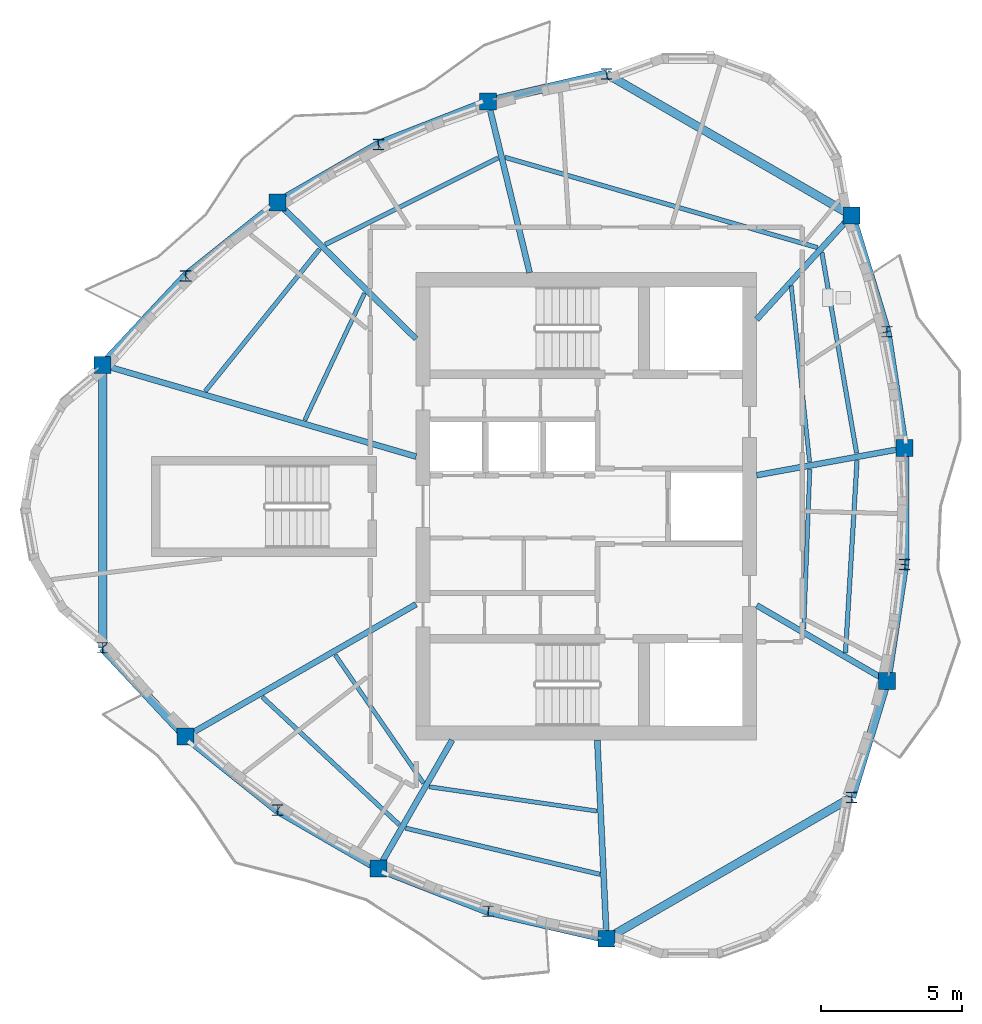
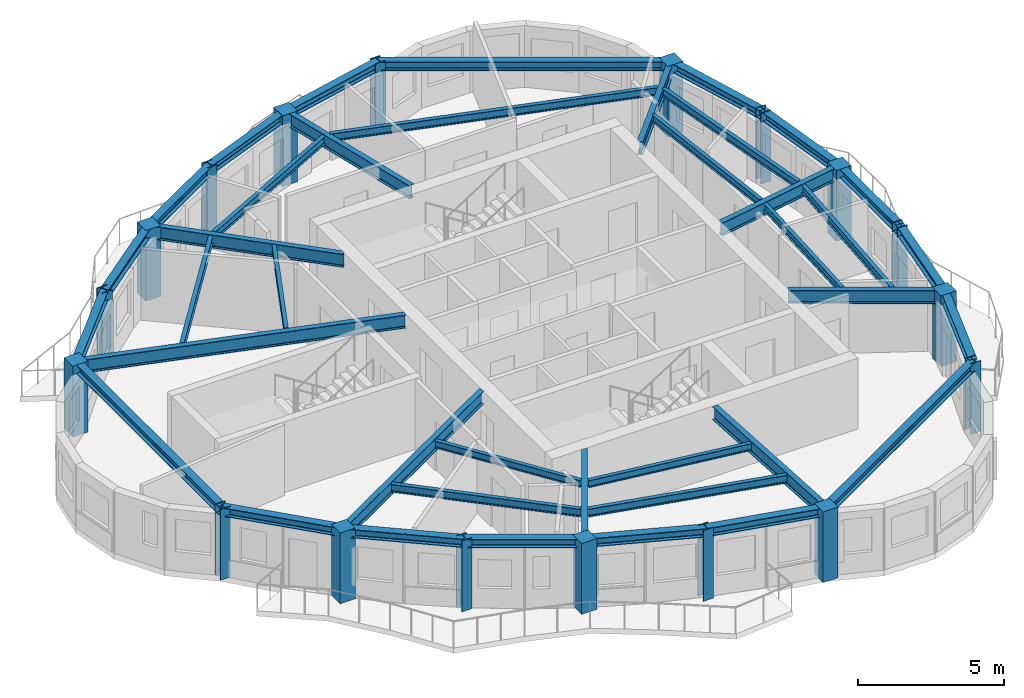
# One storey, part 1 of 11: 39 beams, 18 columns.
"""IFC4 building model written with IfcOpenShell, lengths in metres."""

import ifcopenshell
import ifcopenshell.guid

model = None  # the IFC model being written
_history = None  # IfcOwnerHistory: only IFC2X3 demands one
_inside = {}  # id of a spatial element -> (the spatial element, [elements in it])
_under = {}  # id of a project, library or spatial element -> (it, [spatial elements below it])
_declared = {}  # id of a project -> (the project, [libraries it declares])
_typed = {}  # id of a type object -> (the type object, [elements of that type])
_made_of = {}  # id of a material, layer set ... -> (it, [elements and type objects made of it])


def new_model(schema):
    """Start an empty IFC model of exactly this schema.

    Asked for "IFC4X3", IfcOpenShell would pick the latest addendum, in which some entities
    have other attributes; the version numbers below select the first issue.
    IFC2X3 requires an IfcOwnerHistory on every rooted entity: one is made here for all.
    """
    global model, _history
    if schema == "IFC4X3":
        model = ifcopenshell.file(schema_version=(4, 3, 0, 0))
    else:
        model = ifcopenshell.file(schema=schema)
    _inside.clear()
    _under.clear()
    _declared.clear()
    _typed.clear()
    _made_of.clear()
    _history = None
    if model.schema == "IFC2X3":
        org = make("IfcOrganization", Name="unknown")
        user = make(
            "IfcPersonAndOrganization",
            ThePerson=make("IfcPerson", FamilyName="unknown"),
            TheOrganization=org,
        )
        app = make(
            "IfcApplication",
            ApplicationDeveloper=org,
            Version="unknown",
            ApplicationFullName="unknown",
            ApplicationIdentifier="unknown",
        )
        _history = make(
            "IfcOwnerHistory",
            OwningUser=user,
            OwningApplication=app,
            ChangeAction="ADDED",
            CreationDate=0,
        )
    return model


def make(cls, **values):
    """One entity of the class cls with the attributes given. An attribute that is None is left unset."""
    return model.create_entity(
        cls, **{name: value for name, value in values.items() if value is not None}
    )


def rooted(cls, **values):
    """An entity with a GlobalId (a new one), such as an element, a storey or a relation."""
    return make(cls, GlobalId=ifcopenshell.guid.new(), OwnerHistory=_history, **values)


def si_unit(unit_type, name, prefix=None):
    """IfcSIUnit, for example si_unit("LENGTHUNIT", "METRE", prefix="MILLI")."""
    return make("IfcSIUnit", UnitType=unit_type, Prefix=prefix, Name=name)


def assignment(units):
    """IfcUnitAssignment: the units of a project."""
    return None if units is None else make("IfcUnitAssignment", Units=units)


def point(xyz):
    """IfcCartesianPoint."""
    return None if xyz is None else make("IfcCartesianPoint", Coordinates=xyz)


def direction(xyz):
    """IfcDirection."""
    return None if xyz is None else make("IfcDirection", DirectionRatios=xyz)


def frame(location, z_axis=None, x_axis=None):
    """IfcAxis2Placement3D, a coordinate frame: its origin and axes. An axis left out is left unset."""
    return make(
        "IfcAxis2Placement3D",
        Location=point(location),
        Axis=direction(z_axis),
        RefDirection=direction(x_axis),
    )


def frame_2d(location, x_axis=None):
    """IfcAxis2Placement2D, a coordinate frame in the plane: its origin and x axis."""
    return make(
        "IfcAxis2Placement2D", Location=point(location), RefDirection=direction(x_axis)
    )


def origin():
    """The frame at (0, 0, 0) with its axes left unset."""
    return frame((0.0, 0.0, 0.0))


def origin_2d():
    """The frame at (0, 0) in the plane with its x axis left unset."""
    return frame_2d((0.0, 0.0))


def place(relative_to, where):
    """IfcLocalPlacement: puts the frame where relative to a parent placement (None: the world)."""
    return make(
        "IfcLocalPlacement", PlacementRelTo=relative_to, RelativePlacement=where
    )


def context(
    kind, dimensions, precision=None, world=None, true_north=None, identifier=None
):
    """IfcGeometricRepresentationContext, for example the 3D "Model" context."""
    return make(
        "IfcGeometricRepresentationContext",
        ContextIdentifier=identifier,
        ContextType=kind,
        CoordinateSpaceDimension=dimensions,
        Precision=precision,
        WorldCoordinateSystem=world,
        TrueNorth=true_north,
    )


def subcontext(parent, identifier, kind, view, scale=None):
    """IfcGeometricRepresentationSubContext, for example "Body" below "Model"."""
    return make(
        "IfcGeometricRepresentationSubContext",
        ContextIdentifier=identifier,
        ContextType=kind,
        ParentContext=parent,
        TargetScale=scale,
        TargetView=view,
    )


def project(units=None, contexts=None):
    """IfcProject with its units and contexts."""
    return rooted(
        "IfcProject",
        Name="project",
        RepresentationContexts=contexts,
        UnitsInContext=assignment(units),
    )


def spatial(cls, under=None, at=None, **own):
    """A site, building, storey or space (cls), placed at a placement, below another one or the project."""
    s = rooted(cls, ObjectPlacement=at, **own)
    if under is not None:
        _under.setdefault(under.id(), (under, []))[1].append(s)
    return s


def profile(cls, at=None, kind="AREA", **sizes):
    """A parametric profile (cls). Its sizes go by their IFC names, for example OverallWidth=200.0."""
    return make(cls, ProfileType=kind, Position=at, **sizes)


def rectangle(**sizes):
    """IfcRectangleProfileDef."""
    return profile("IfcRectangleProfileDef", **sizes)


def i_section(**sizes):
    """IfcIShapeProfileDef."""
    return profile("IfcIShapeProfileDef", **sizes)


def extrude(swept, where, along, depth):
    """IfcExtrudedAreaSolid: the profile swept, set in the frame where, extruded along a direction by depth."""
    return make(
        "IfcExtrudedAreaSolid",
        SweptArea=swept,
        Position=where,
        ExtrudedDirection=direction(along),
        Depth=depth,
    )


def shape(context_of_items, identifier, shape_type, items):
    """IfcShapeRepresentation: the items that make up one representation, for example the "Body"."""
    return make(
        "IfcShapeRepresentation",
        ContextOfItems=context_of_items,
        RepresentationIdentifier=identifier,
        RepresentationType=shape_type,
        Items=items,
    )


def source(mapping_origin, context_of_items, identifier, shape_type, items):
    """IfcRepresentationMap: a shape defined once, which mapped items show again and again."""
    return make(
        "IfcRepresentationMap",
        MappingOrigin=mapping_origin,
        MappedRepresentation=shape(context_of_items, identifier, shape_type, items),
    )


def transform(
    local_origin,
    x_axis=None,
    y_axis=None,
    z_axis=None,
    scale=None,
    scale2=None,
    scale3=None,
    uniform=True,
):
    """IfcCartesianTransformationOperator3D, or its non-uniform kind. x_axis, y_axis, z_axis: its Axis1, 2, 3."""
    if uniform:
        return make(
            "IfcCartesianTransformationOperator3D",
            Axis1=direction(x_axis),
            Axis2=direction(y_axis),
            LocalOrigin=point(local_origin),
            Scale=scale,
            Axis3=direction(z_axis),
        )
    return make(
        "IfcCartesianTransformationOperator3DnonUniform",
        Axis1=direction(x_axis),
        Axis2=direction(y_axis),
        LocalOrigin=point(local_origin),
        Scale=scale,
        Axis3=direction(z_axis),
        Scale2=scale2,
        Scale3=scale3,
    )


def mapped(mapping_source, mapping_target):
    """IfcMappedItem: shows the shape of a source again, moved by a transform."""
    return make(
        "IfcMappedItem", MappingSource=mapping_source, MappingTarget=mapping_target
    )


def material(Name=None, Category=None):
    """IfcMaterial."""
    return make("IfcMaterial", Name=Name, Category=Category)


def material_profile(
    of_material, cross_section, Name=None, Category=None, Priority=None
):
    """IfcMaterialProfile: a cross section and its material."""
    return make(
        "IfcMaterialProfile",
        Name=Name,
        Material=of_material,
        Profile=cross_section,
        Priority=Priority,
        Category=Category,
    )


def profile_set(profiles, Name=None, composite=None):
    """IfcMaterialProfileSet."""
    return make(
        "IfcMaterialProfileSet",
        Name=Name,
        MaterialProfiles=profiles,
        CompositeProfile=composite,
    )


def made_of(thing, what):
    """Note that an element or type object is made of a material, layer set ...; save() writes the relation."""
    if what is not None:
        _made_of.setdefault(what.id(), (what, []))[1].append(thing)
    return thing


def type_object(cls, material=None, **own):
    """A type object (cls), such as IfcWallType, which elements share."""
    return made_of(rooted(cls, **own), material)


def element(
    cls,
    number,
    at=None,
    inside=None,
    cuts=None,
    type_object=None,
    material=None,
    context=None,
    identifier="Body",
    shape_type=None,
    held_by="IfcProductDefinitionShape",
    body=None,
    shapes=None,
    **own,
):
    """One element of the class cls, such as IfcWall. Its Tag is "e" and its number.

    at: its placement. inside: the storey or other place that contains it. cuts: it is an
    opening in that element (IfcRelVoidsElement). A single representation is given by context,
    identifier, shape_type and body (its items); several are given by shapes. held_by: the class
    of the entity that holds the representations. save() writes the other relations.
    """
    e = rooted(cls, Tag="e%d" % number, ObjectPlacement=at, **own)
    if body is not None:
        shapes = [shape(context, identifier, shape_type, body)]
    if shapes is not None:
        e.Representation = make(held_by, Representations=shapes)
    if inside is not None:
        _inside.setdefault(inside.id(), (inside, []))[1].append(e)
    if cuts is not None:
        rooted(
            "IfcRelVoidsElement", RelatingBuildingElement=cuts, RelatedOpeningElement=e
        )
    if type_object is not None:
        _typed.setdefault(type_object.id(), (type_object, []))[1].append(e)
    return made_of(e, material)


def aggregate(whole, parts):
    """IfcRelAggregates: a whole, such as a stair, and the parts it consists of."""
    return rooted("IfcRelAggregates", RelatingObject=whole, RelatedObjects=parts)


def save(model, path):
    """Write the relations noted so far, then the file.

    IfcRelAggregates (storeys below a building ...), IfcRelContainedInSpatialStructure (elements
    in a storey), IfcRelDefinesByType, IfcRelAssociatesMaterial and IfcRelDeclares: one each for
    every whole, place, type object, material and project.
    """
    for whole, parts in _under.values():
        aggregate(whole, parts)
    for where, things in _inside.values():
        rooted(
            "IfcRelContainedInSpatialStructure",
            RelatedElements=things,
            RelatingStructure=where,
        )
    for kind, things in _typed.values():
        rooted("IfcRelDefinesByType", RelatedObjects=things, RelatingType=kind)
    for what, things in _made_of.values():
        rooted("IfcRelAssociatesMaterial", RelatedObjects=things, RelatingMaterial=what)
    for by, libraries in _declared.values():
        rooted("IfcRelDeclares", RelatingContext=by, RelatedDefinitions=libraries)
    model.write(path)


model = new_model("IFC4")

# Units and contexts
model_context = context("Model", 3, precision=1e-05, world=origin(), true_north=direction((0.0, 1.0)))
body_context = subcontext(model_context, "Body", "Model", "MODEL_VIEW")
ifc_project = project(units=[si_unit("LENGTHUNIT", "METRE"), si_unit("AREAUNIT", "SQUARE_METRE"), si_unit("VOLUMEUNIT", "CUBIC_METRE"), si_unit("PLANEANGLEUNIT", "RADIAN"), si_unit("MASSUNIT", "GRAM", prefix="KILO")], contexts=[model_context])

# Site, building, storey
site_placement = place(None, origin())
site = spatial("IfcSite", under=ifc_project, at=site_placement, CompositionType="ELEMENT")
building_placement = place(site_placement, origin())
building = spatial("IfcBuilding", under=site, at=building_placement, Name="Qafzar Sky-Pleat Residences", CompositionType="ELEMENT")
storey_placement = place(building_placement, frame((0.0, 0.0, 246.800048828125)))
storey = spatial("IfcBuildingStorey", under=building, at=storey_placement, Name="L74", CompositionType="ELEMENT", Elevation=246.800048828125)

# Columns
ifc_material_1 = material(Name="Concrete C50/60", Category="concrete")
ifc_material_profile_1 = material_profile(ifc_material_1, rectangle(XDim=0.60009765625, YDim=0.60009765625, at=origin_2d()), Name="RC 600x600")
ifc_profile_set_1 = profile_set([ifc_material_profile_1], Name="Concrete C50/60")
column_type_1 = type_object("IfcColumnType", Name="COL-RC-600", PredefinedType="COLUMN", material=ifc_profile_set_1)
shared_shape_1 = source(origin(), body_context, "Body", "SweptSolid", [
    extrude(rectangle(XDim=0.60009765625, YDim=0.60009765625, at=origin_2d()), origin(), (0.0, 0.0, 1.0), 2.9599609375),
])
for number, where, z_axis, x_axis, name in (
    (1, (13.1650390625, 31.02294921875, 0.0), (0.0, 0.0, 1.0), (1.0, 0.0, 0.0), "L74 Perimeter Mega Column 1"),
    (2, (16.1171875, 17.8212890625, 0.0), (0.0, 0.0, 1.0), (1.0, 0.0, 0.0), "L74 Perimeter Mega Column 3"),
    (3, (22.9638671875, 13.142578125, 0.0), (0.0, 0.0, 1.0), (1.0, 0.0, 0.0), "L74 Perimeter Mega Column 5"),
    (4, (31.0673828125, 10.64111328125, 0.0), (0.0, 0.0, 1.0), (1.0, 0.0, 0.0), "L74 Perimeter Mega Column 7"),
    (5, (41.0244140625, 19.79833984375, 0.0), (0.0, 0.0, 1.0), (1.0, 0.0, 0.0), "L74 Perimeter Mega Column 9"),
    (6, (41.65283203125, 28.067138671875, 0.0), (0.0, 0.0, 1.0), (1.0, 0.0, 0.0), "L74 Perimeter Mega Column 11"),
    (7, (39.767578125, 36.3359375, 0.0), (0.0, 0.0, 1.0), (1.0, 0.0, 0.0), "L74 Perimeter Mega Column 13"),
    (8, (26.858642578125, 40.380126953125, 0.0), (0.0, 0.0, 1.0), (1.0, 0.0, 0.0), "L74 Perimeter Mega Column 15"),
    (9, (19.38330078125, 36.7900390625, 0.0), (0.0, 0.0, 1.0), (1.0, 0.0, 0.0), "L74 Perimeter Mega Column 17"),
):
    element("IfcColumn", number, at=place(storey_placement, frame(where, z_axis=z_axis, x_axis=x_axis)), inside=storey, type_object=column_type_1, Name=name, PredefinedType="COLUMN", context=body_context, shape_type="MappedRepresentation", body=[
        mapped(shared_shape_1, transform((0.0, 0.0, 0.0), x_axis=(1.0, 0.0, 0.0), y_axis=(0.0, 1.0, 0.0), z_axis=(0.0, 0.0, 1.0), scale=1.0)),
    ])
ifc_material_2 = material(Name="Steel S355", Category="steel")
ifc_material_profile_2 = material_profile(ifc_material_2, i_section(OverallWidth=0.39794921875, OverallDepth=0.386962890625, WebThickness=0.01904296875, FlangeThickness=0.030029296875, FilletRadius=0.014892578125, at=origin_2d()), Name="HD 400x262")
ifc_profile_set_2 = profile_set([ifc_material_profile_2], Name="Steel S355")
column_type_2 = type_object("IfcColumnType", Name="COL-STL-HD262", PredefinedType="PILASTER", material=ifc_profile_set_2)
shared_shape_2 = source(origin(), body_context, "Body", "SweptSolid", [
    extrude(i_section(OverallWidth=0.39794921875, OverallDepth=0.386962890625, WebThickness=0.01904296875, FlangeThickness=0.030029296875, FilletRadius=0.014892578125, at=origin_2d()), origin(), (0.0, 0.0, 1.0), 2.9599609375),
])
for number, where, z_axis, x_axis, name in (
    (10, (13.1650390625, 20.97705078125, 0.0), (0.0, 0.0, 1.0), (1.0, 0.0, 0.0), "L74 Perimeter Mega Column 2"),
    (11, (19.38330078125, 15.2099609375, 0.0), (0.0, 0.0, 1.0), (1.0, 0.0, 0.0), "L74 Perimeter Mega Column 4"),
    (12, (26.858642578125, 11.619873046875, 0.0), (0.0, 0.0, 1.0), (1.0, 0.0, 0.0), "L74 Perimeter Mega Column 6"),
    (13, (39.767578125, 15.6640625, 0.0), (0.0, 0.0, 1.0), (1.0, 0.0, 0.0), "L74 Perimeter Mega Column 8"),
    (14, (41.65283203125, 23.932861328125, 0.0), (0.0, 0.0, 1.0), (1.0, 0.0, 0.0), "L74 Perimeter Mega Column 10"),
    (15, (41.0244140625, 32.20166015625, 0.0), (0.0, 0.0, 1.0), (1.0, 0.0, 0.0), "L74 Perimeter Mega Column 12"),
    (16, (31.0673828125, 41.35888671875, 0.0), (0.0, 0.0, 1.0), (1.0, 0.0, 0.0), "L74 Perimeter Mega Column 14"),
    (17, (22.9638671875, 38.857421875, 0.0), (0.0, 0.0, 1.0), (1.0, 0.0, 0.0), "L74 Perimeter Mega Column 16"),
    (18, (16.1171875, 34.1787109375, 0.0), (0.0, 0.0, 1.0), (1.0, 0.0, 0.0), "L74 Perimeter Mega Column 18"),
):
    element("IfcColumn", number, at=place(storey_placement, frame(where, z_axis=z_axis, x_axis=x_axis)), inside=storey, type_object=column_type_2, Name=name, PredefinedType="PILASTER", context=body_context, shape_type="MappedRepresentation", body=[
        mapped(shared_shape_2, transform((0.0, 0.0, 0.0), x_axis=(1.0, 0.0, 0.0), y_axis=(0.0, 1.0, 0.0), z_axis=(0.0, 0.0, 1.0), scale=1.0)),
    ])

# Beams
ifc_material_profile_3 = material_profile(ifc_material_2, i_section(OverallWidth=0.300048828125, OverallDepth=0.360107421875, WebThickness=0.012451171875, FlangeThickness=0.0224609375, FilletRadius=0.027099609375, at=origin_2d()), Name="HEB 360")
ifc_profile_set_3 = profile_set([ifc_material_profile_3], Name="Steel S355")
beam_type_1 = type_object("IfcBeamType", Name="BM-SPAN-HEB360", PredefinedType="SPANDREL", material=ifc_profile_set_3)
shared_shape_3 = source(origin(), body_context, "Body", "SweptSolid", [
    extrude(i_section(OverallWidth=0.300048828125, OverallDepth=0.360107421875, WebThickness=0.012451171875, FlangeThickness=0.0224609375, FilletRadius=0.027099609375, at=origin_2d()), origin(), (0.0, 0.0, 1.0), 10.0458984375),
])
beam_1_placement = place(storey_placement, frame((13.1650390625, 31.02294921875, 2.77783203125), z_axis=(0.0, -1.0, 0.0), x_axis=(1.0, 0.0, 0.0)))
element("IfcBeam", 19, at=beam_1_placement, inside=storey, type_object=beam_type_1, Name="L74 Perimeter Spandrel Beam 1", PredefinedType="SPANDREL", context=body_context, shape_type="MappedRepresentation", body=[
    mapped(shared_shape_3, transform((0.0, 0.0, 0.0), x_axis=(1.0, 0.0, 0.0), y_axis=(0.0, 1.0, 0.0), z_axis=(0.0, 0.0, 1.0), scale=1.0)),
])
shared_shape_4 = source(origin(), body_context, "Body", "SweptSolid", [
    extrude(i_section(OverallWidth=0.300048828125, OverallDepth=0.360107421875, WebThickness=0.012451171875, FlangeThickness=0.0224609375, FilletRadius=0.027099609375, at=origin_2d()), origin(), (0.0, 0.0, 1.0), 4.3212890625),
])
for number, where, z_axis, x_axis, name in (
    (20, (13.1650390625, 20.97705078125, 2.77783203125), (0.683155184944, -0.730273231937, 0.0), (0.730273231937, 0.683155184944, 0.0), "L74 Perimeter Spandrel Beam 2"),
    (21, (16.1171875, 34.1787109375, 2.77783203125), (-0.683155184944, -0.730273231937, 0.0), (0.730273231937, -0.683155184944, 0.0), "L74 Perimeter Spandrel Beam 18"),
):
    element("IfcBeam", number, at=place(storey_placement, frame(where, z_axis=z_axis, x_axis=x_axis)), inside=storey, type_object=beam_type_1, Name=name, PredefinedType="SPANDREL", context=body_context, shape_type="MappedRepresentation", body=[
        mapped(shared_shape_4, transform((0.0, 0.0, 0.0), x_axis=(1.0, 0.0, 0.0), y_axis=(0.0, 1.0, 0.0), z_axis=(0.0, 0.0, 1.0), scale=1.0)),
    ])
shared_shape_5 = source(origin(), body_context, "Body", "SweptSolid", [
    extrude(i_section(OverallWidth=0.300048828125, OverallDepth=0.360107421875, WebThickness=0.012451171875, FlangeThickness=0.0224609375, FilletRadius=0.027099609375, at=origin_2d()), origin(), (0.0, 0.0, 1.0), 4.181640625),
])
for number, where, z_axis, x_axis, name in (
    (22, (16.1171875, 17.8212890625, 2.77783203125), (0.781051045846, -0.624467183912, 0.0), (0.624467183912, 0.781051045846, 0.0), "L74 Perimeter Spandrel Beam 3"),
    (23, (19.38330078125, 36.7900390625, 2.77783203125), (-0.781051045846, -0.624467183912, 0.0), (0.624467183912, -0.781051045846, 0.0), "L74 Perimeter Spandrel Beam 17"),
):
    element("IfcBeam", number, at=place(storey_placement, frame(where, z_axis=z_axis, x_axis=x_axis)), inside=storey, type_object=beam_type_1, Name=name, PredefinedType="SPANDREL", context=body_context, shape_type="MappedRepresentation", body=[
        mapped(shared_shape_5, transform((0.0, 0.0, 0.0), x_axis=(1.0, 0.0, 0.0), y_axis=(0.0, 1.0, 0.0), z_axis=(0.0, 0.0, 1.0), scale=1.0)),
    ])
shared_shape_6 = source(origin(), body_context, "Body", "SweptSolid", [
    extrude(i_section(OverallWidth=0.300048828125, OverallDepth=0.360107421875, WebThickness=0.012451171875, FlangeThickness=0.0224609375, FilletRadius=0.027099609375, at=origin_2d()), origin(), (0.0, 0.0, 1.0), 4.134521484375),
])
for number, where, z_axis, x_axis, name in (
    (24, (19.38330078125, 15.2099609375, 2.77783203125), (0.866010549094, -0.500025728196, 0.0), (0.500025728196, 0.866010549094, 0.0), "L74 Perimeter Spandrel Beam 4"),
    (25, (22.9638671875, 38.857421875, 2.77783203125), (-0.866010549094, -0.500025728196, 0.0), (0.500025728196, -0.866010549094, 0.0), "L74 Perimeter Spandrel Beam 16"),
):
    element("IfcBeam", number, at=place(storey_placement, frame(where, z_axis=z_axis, x_axis=x_axis)), inside=storey, type_object=beam_type_1, Name=name, PredefinedType="SPANDREL", context=body_context, shape_type="MappedRepresentation", body=[
        mapped(shared_shape_6, transform((0.0, 0.0, 0.0), x_axis=(1.0, 0.0, 0.0), y_axis=(0.0, 1.0, 0.0), z_axis=(0.0, 0.0, 1.0), scale=1.0)),
    ])
shared_shape_7 = source(origin(), body_context, "Body", "SweptSolid", [
    extrude(i_section(OverallWidth=0.300048828125, OverallDepth=0.360107421875, WebThickness=0.012451171875, FlangeThickness=0.0224609375, FilletRadius=0.027099609375, at=origin_2d()), origin(), (0.0, 0.0, 1.0), 4.181884765625),
])
for number, where, z_axis, x_axis, name in (
    (26, (22.9638671875, 13.142578125, 2.77783203125), (0.931351269542, -0.36412197506, 0.0), (0.36412197506, 0.931351269542, 0.0), "L74 Perimeter Spandrel Beam 5"),
    (27, (41.0244140625, 19.79833984375, 2.77783203125), (0.150267100835, 0.988645436143, 0.0), (-0.988645436143, 0.150267100835, 0.0), "L74 Perimeter Spandrel Beam 9"),
    (28, (41.65283203125, 28.067138671875, 2.77783203125), (-0.150267100835, 0.988645436143, 0.0), (-0.988645436143, -0.150267100835, 0.0), "L74 Perimeter Spandrel Beam 11"),
    (29, (26.858642578125, 40.380126953125, 2.77783203125), (-0.931351269542, -0.36412197506, 0.0), (0.36412197506, -0.931351269542, 0.0), "L74 Perimeter Spandrel Beam 15"),
):
    element("IfcBeam", number, at=place(storey_placement, frame(where, z_axis=z_axis, x_axis=x_axis)), inside=storey, type_object=beam_type_1, Name=name, PredefinedType="SPANDREL", context=body_context, shape_type="MappedRepresentation", body=[
        mapped(shared_shape_7, transform((0.0, 0.0, 0.0), x_axis=(1.0, 0.0, 0.0), y_axis=(0.0, 1.0, 0.0), z_axis=(0.0, 0.0, 1.0), scale=1.0)),
    ])
shared_shape_8 = source(origin(), body_context, "Body", "SweptSolid", [
    extrude(i_section(OverallWidth=0.300048828125, OverallDepth=0.360107421875, WebThickness=0.012451171875, FlangeThickness=0.0224609375, FilletRadius=0.027099609375, at=origin_2d()), origin(), (0.0, 0.0, 1.0), 4.321044921875),
])
for number, where, z_axis, x_axis, name in (
    (30, (26.858642578125, 11.619873046875, 2.77783203125), (0.974008896714, -0.226509755028, 0.0), (0.226509755028, 0.974008896714, 0.0), "L74 Perimeter Spandrel Beam 6"),
    (31, (39.767578125, 15.6640625, 2.77783203125), (0.290860334904, 0.956765522779, 0.0), (-0.956765522779, 0.290860334904, 0.0), "L74 Perimeter Spandrel Beam 8"),
    (32, (41.0244140625, 32.20166015625, 2.77783203125), (-0.290860334904, 0.956765522779, 0.0), (-0.956765522779, -0.290860334904, 0.0), "L74 Perimeter Spandrel Beam 12"),
    (33, (31.0673828125, 41.35888671875, 2.77783203125), (-0.974008896714, -0.226509755028, 0.0), (0.226509755028, -0.974008896714, 0.0), "L74 Perimeter Spandrel Beam 14"),
):
    element("IfcBeam", number, at=place(storey_placement, frame(where, z_axis=z_axis, x_axis=x_axis)), inside=storey, type_object=beam_type_1, Name=name, PredefinedType="SPANDREL", context=body_context, shape_type="MappedRepresentation", body=[
        mapped(shared_shape_8, transform((0.0, 0.0, 0.0), x_axis=(1.0, 0.0, 0.0), y_axis=(0.0, 1.0, 0.0), z_axis=(0.0, 0.0, 1.0), scale=1.0)),
    ])
shared_shape_9 = source(origin(), body_context, "Body", "SweptSolid", [
    extrude(i_section(OverallWidth=0.300048828125, OverallDepth=0.360107421875, WebThickness=0.012451171875, FlangeThickness=0.0224609375, FilletRadius=0.027099609375, at=origin_2d()), origin(), (0.0, 0.0, 1.0), 10.046142578125),
])
for number, where, z_axis, x_axis, name in (
    (34, (31.0673828125, 10.64111328125, 2.77783203125), (0.866030183273, 0.499991721592, 0.0), (-0.499991721592, 0.866030183273, 0.0), "L74 Perimeter Spandrel Beam 7"),
    (35, (39.767578125, 36.3359375, 2.77783203125), (-0.866030183273, 0.499991721592, 0.0), (-0.499991721592, -0.866030183273, 0.0), "L74 Perimeter Spandrel Beam 13"),
):
    element("IfcBeam", number, at=place(storey_placement, frame(where, z_axis=z_axis, x_axis=x_axis)), inside=storey, type_object=beam_type_1, Name=name, PredefinedType="SPANDREL", context=body_context, shape_type="MappedRepresentation", body=[
        mapped(shared_shape_9, transform((0.0, 0.0, 0.0), x_axis=(1.0, 0.0, 0.0), y_axis=(0.0, 1.0, 0.0), z_axis=(0.0, 0.0, 1.0), scale=1.0)),
    ])
shared_shape_10 = source(origin(), body_context, "Body", "SweptSolid", [
    extrude(i_section(OverallWidth=0.300048828125, OverallDepth=0.360107421875, WebThickness=0.012451171875, FlangeThickness=0.0224609375, FilletRadius=0.027099609375, at=origin_2d()), origin(), (0.0, 0.0, 1.0), 4.13427734375),
])
beam_2_placement = place(storey_placement, frame((41.65283203125, 23.932861328125, 2.77783203125), z_axis=(0.0, 1.0, 0.0), x_axis=(-1.0, 0.0, 0.0)))
element("IfcBeam", 36, at=beam_2_placement, inside=storey, type_object=beam_type_1, Name="L74 Perimeter Spandrel Beam 10", PredefinedType="SPANDREL", context=body_context, shape_type="MappedRepresentation", body=[
    mapped(shared_shape_10, transform((0.0, 0.0, 0.0), x_axis=(1.0, 0.0, 0.0), y_axis=(0.0, 1.0, 0.0), z_axis=(0.0, 0.0, 1.0), scale=1.0)),
])
ifc_material_profile_4 = material_profile(ifc_material_2, i_section(OverallWidth=0.2099609375, OverallDepth=0.550048828125, WebThickness=0.010986328125, FlangeThickness=0.01708984375, FilletRadius=0.02392578125, at=origin_2d()), Name="IPE 550")
ifc_profile_set_4 = profile_set([ifc_material_profile_4], Name="Steel S355")
beam_type_2 = type_object("IfcBeamType", Name="BM-SEC-IPE550", PredefinedType="BEAM", material=ifc_profile_set_4)
shared_shape_11 = source(origin(), body_context, "Body", "SweptSolid", [
    extrude(i_section(OverallWidth=0.2099609375, OverallDepth=0.550048828125, WebThickness=0.010986328125, FlangeThickness=0.01708984375, FilletRadius=0.02392578125, at=origin_2d()), origin(), (0.0, 0.0, 1.0), 11.600830078125),
])
beam_3_placement = place(storey_placement, frame((13.1650390625, 31.02294921875, 2.682861328125), z_axis=(0.95983932818, -0.280550287969, 0.0), x_axis=(0.280550287969, 0.95983932818, 0.0)))
element("IfcBeam", 37, at=beam_3_placement, inside=storey, type_object=beam_type_2, Name="L74 Radial Floor Girder 1", PredefinedType="BEAM", context=body_context, shape_type="MappedRepresentation", body=[
    mapped(shared_shape_11, transform((0.0, 0.0, 0.0), x_axis=(1.0, 0.0, 0.0), y_axis=(0.0, 1.0, 0.0), z_axis=(0.0, 0.0, 1.0), scale=1.0)),
])
shared_shape_12 = source(origin(), body_context, "Body", "SweptSolid", [
    extrude(i_section(OverallWidth=0.2099609375, OverallDepth=0.550048828125, WebThickness=0.010986328125, FlangeThickness=0.01708984375, FilletRadius=0.02392578125, at=origin_2d()), origin(), (0.0, 0.0, 1.0), 9.437744140625),
])
beam_4_placement = place(storey_placement, frame((16.1171875, 17.8212890625, 2.682861328125), z_axis=(0.867043487682, 0.498232466293, 0.0), x_axis=(-0.498232466293, 0.867043487682, 0.0)))
element("IfcBeam", 38, at=beam_4_placement, inside=storey, type_object=beam_type_2, Name="L74 Radial Floor Girder 3", PredefinedType="BEAM", context=body_context, shape_type="MappedRepresentation", body=[
    mapped(shared_shape_12, transform((0.0, 0.0, 0.0), x_axis=(1.0, 0.0, 0.0), y_axis=(0.0, 1.0, 0.0), z_axis=(0.0, 0.0, 1.0), scale=1.0)),
])
shared_shape_13 = source(origin(), body_context, "Body", "SweptSolid", [
    extrude(i_section(OverallWidth=0.2099609375, OverallDepth=0.550048828125, WebThickness=0.010986328125, FlangeThickness=0.01708984375, FilletRadius=0.02392578125, at=origin_2d()), origin(), (0.0, 0.0, 1.0), 5.255859375),
])
beam_5_placement = place(storey_placement, frame((22.9638671875, 13.142578125, 2.682861328125), z_axis=(0.498103653518, 0.867117495125, 0.0), x_axis=(-0.867117495125, 0.498103653518, 0.0)))
element("IfcBeam", 39, at=beam_5_placement, inside=storey, type_object=beam_type_2, Name="L74 Radial Floor Girder 5", PredefinedType="BEAM", context=body_context, shape_type="MappedRepresentation", body=[
    mapped(shared_shape_13, transform((0.0, 0.0, 0.0), x_axis=(1.0, 0.0, 0.0), y_axis=(0.0, 1.0, 0.0), z_axis=(0.0, 0.0, 1.0), scale=1.0)),
])
shared_shape_14 = source(origin(), body_context, "Body", "SweptSolid", [
    extrude(i_section(OverallWidth=0.2099609375, OverallDepth=0.550048828125, WebThickness=0.010986328125, FlangeThickness=0.01708984375, FilletRadius=0.02392578125, at=origin_2d()), origin(), (0.0, 0.0, 1.0), 7.06640625),
])
beam_6_placement = place(storey_placement, frame((31.0673828125, 10.64111328125, 2.682861328125), z_axis=(-0.046640985647, 0.998911717049, 0.0), x_axis=(-0.998911717049, -0.046640985647, 0.0)))
element("IfcBeam", 40, at=beam_6_placement, inside=storey, type_object=beam_type_2, Name="L74 Radial Floor Girder 7", PredefinedType="BEAM", context=body_context, shape_type="MappedRepresentation", body=[
    mapped(shared_shape_14, transform((0.0, 0.0, 0.0), x_axis=(1.0, 0.0, 0.0), y_axis=(0.0, 1.0, 0.0), z_axis=(0.0, 0.0, 1.0), scale=1.0)),
])
shared_shape_15 = source(origin(), body_context, "Body", "SweptSolid", [
    extrude(i_section(OverallWidth=0.2099609375, OverallDepth=0.550048828125, WebThickness=0.010986328125, FlangeThickness=0.01708984375, FilletRadius=0.02392578125, at=origin_2d()), origin(), (0.0, 0.0, 1.0), 5.348388671875),
])
beam_7_placement = place(storey_placement, frame((41.0244140625, 19.79833984375, 2.682861328125), z_axis=(-0.864661673227, 0.502354646493, 0.0), x_axis=(-0.502354646493, -0.864661673227, 0.0)))
element("IfcBeam", 41, at=beam_7_placement, inside=storey, type_object=beam_type_2, Name="L74 Radial Floor Girder 9", PredefinedType="BEAM", context=body_context, shape_type="MappedRepresentation", body=[
    mapped(shared_shape_15, transform((0.0, 0.0, 0.0), x_axis=(1.0, 0.0, 0.0), y_axis=(0.0, 1.0, 0.0), z_axis=(0.0, 0.0, 1.0), scale=1.0)),
])
shared_shape_16 = source(origin(), body_context, "Body", "SweptSolid", [
    extrude(i_section(OverallWidth=0.2099609375, OverallDepth=0.550048828125, WebThickness=0.010986328125, FlangeThickness=0.01708984375, FilletRadius=0.02392578125, at=origin_2d()), origin(), (0.0, 0.0, 1.0), 5.340087890625),
])
beam_8_placement = place(storey_placement, frame((41.65283203125, 28.067138671875, 2.682861328125), z_axis=(-0.983684314123, -0.179903224395, 0.0), x_axis=(0.179903224395, -0.983684314123, 0.0)))
element("IfcBeam", 42, at=beam_8_placement, inside=storey, type_object=beam_type_2, Name="L74 Radial Floor Girder 11", PredefinedType="BEAM", context=body_context, shape_type="MappedRepresentation", body=[
    mapped(shared_shape_16, transform((0.0, 0.0, 0.0), x_axis=(1.0, 0.0, 0.0), y_axis=(0.0, 1.0, 0.0), z_axis=(0.0, 0.0, 1.0), scale=1.0)),
])
shared_shape_17 = source(origin(), body_context, "Body", "SweptSolid", [
    extrude(i_section(OverallWidth=0.2099609375, OverallDepth=0.550048828125, WebThickness=0.010986328125, FlangeThickness=0.01708984375, FilletRadius=0.02392578125, at=origin_2d()), origin(), (0.0, 0.0, 1.0), 5.0),
])
beam_9_placement = place(storey_placement, frame((39.767578125, 36.3359375, 2.682861328125), z_axis=(-0.673532683281, -0.73915744233, 0.0), x_axis=(0.73915744233, -0.673532683281, 0.0)))
element("IfcBeam", 43, at=beam_9_placement, inside=storey, type_object=beam_type_2, Name="L74 Radial Floor Girder 13", PredefinedType="BEAM", context=body_context, shape_type="MappedRepresentation", body=[
    mapped(shared_shape_17, transform((0.0, 0.0, 0.0), x_axis=(1.0, 0.0, 0.0), y_axis=(0.0, 1.0, 0.0), z_axis=(0.0, 0.0, 1.0), scale=1.0)),
])
shared_shape_18 = source(origin(), body_context, "Body", "SweptSolid", [
    extrude(i_section(OverallWidth=0.2099609375, OverallDepth=0.550048828125, WebThickness=0.010986328125, FlangeThickness=0.01708984375, FilletRadius=0.02392578125, at=origin_2d()), origin(), (0.0, 0.0, 1.0), 6.256591796875),
])
beam_10_placement = place(storey_placement, frame((26.858642578125, 40.380126953125, 2.682861328125), z_axis=(0.235919421211, -0.971772620882, 0.0), x_axis=(0.971772620882, 0.235919421211, 0.0)))
element("IfcBeam", 44, at=beam_10_placement, inside=storey, type_object=beam_type_2, Name="L74 Radial Floor Girder 15", PredefinedType="BEAM", context=body_context, shape_type="MappedRepresentation", body=[
    mapped(shared_shape_18, transform((0.0, 0.0, 0.0), x_axis=(1.0, 0.0, 0.0), y_axis=(0.0, 1.0, 0.0), z_axis=(0.0, 0.0, 1.0), scale=1.0)),
])
shared_shape_19 = source(origin(), body_context, "Body", "SweptSolid", [
    extrude(i_section(OverallWidth=0.2099609375, OverallDepth=0.550048828125, WebThickness=0.010986328125, FlangeThickness=0.01708984375, FilletRadius=0.02392578125, at=origin_2d()), origin(), (0.0, 0.0, 1.0), 6.8974609375),
])
beam_11_placement = place(storey_placement, frame((19.38330078125, 36.7900390625, 2.682861328125), z_axis=(0.712835198254, -0.701331576453, 0.0), x_axis=(0.701331576453, 0.712835198254, 0.0)))
element("IfcBeam", 45, at=beam_11_placement, inside=storey, type_object=beam_type_2, Name="L74 Radial Floor Girder 17", PredefinedType="BEAM", context=body_context, shape_type="MappedRepresentation", body=[
    mapped(shared_shape_19, transform((0.0, 0.0, 0.0), x_axis=(1.0, 0.0, 0.0), y_axis=(0.0, 1.0, 0.0), z_axis=(0.0, 0.0, 1.0), scale=1.0)),
])
ifc_material_profile_5 = material_profile(ifc_material_2, i_section(OverallWidth=0.159912109375, OverallDepth=0.330078125, WebThickness=0.007568359375, FlangeThickness=0.011474609375, FilletRadius=0.01806640625, at=origin_2d()), Name="IPE 330")
ifc_profile_set_5 = profile_set([ifc_material_profile_5], Name="Steel S355")
beam_type_3 = type_object("IfcBeamType", Name="BM-JST-IPE330", PredefinedType="JOIST", material=ifc_profile_set_5)
shared_shape_20 = source(origin(), body_context, "Body", "SweptSolid", [
    extrude(i_section(OverallWidth=0.159912109375, OverallDepth=0.330078125, WebThickness=0.007568359375, FlangeThickness=0.011474609375, FilletRadius=0.01806640625, at=origin_2d()), origin(), (0.0, 0.0, 1.0), 6.6572265625),
])
beam_12_placement = place(storey_placement, frame((18.83447265625, 19.23388671875, 2.79296875), z_axis=(0.73128571431, -0.68207126024, 0.0), x_axis=(0.68207126024, 0.73128571431, 0.0)))
element("IfcBeam", 46, at=beam_12_placement, inside=storey, type_object=beam_type_3, Name="L74 Outer Secondary Floor Joist 2", PredefinedType="JOIST", context=body_context, shape_type="MappedRepresentation", body=[
    mapped(shared_shape_20, transform((0.0, 0.0, 0.0), x_axis=(1.0, 0.0, 0.0), y_axis=(0.0, 1.0, 0.0), z_axis=(0.0, 0.0, 1.0), scale=1.0)),
])
shared_shape_21 = source(origin(), body_context, "Body", "SweptSolid", [
    extrude(i_section(OverallWidth=0.159912109375, OverallDepth=0.330078125, WebThickness=0.007568359375, FlangeThickness=0.011474609375, FilletRadius=0.01806640625, at=origin_2d()), origin(), (0.0, 0.0, 1.0), 7.08935546875),
])
beam_13_placement = place(storey_placement, frame((23.93310546875, 14.56982421875, 2.79296875), z_axis=(0.972919902613, -0.23114251686, 0.0), x_axis=(0.23114251686, 0.972919902613, 0.0)))
element("IfcBeam", 47, at=beam_13_placement, inside=storey, type_object=beam_type_3, Name="L74 Outer Secondary Floor Joist 3", PredefinedType="JOIST", context=body_context, shape_type="MappedRepresentation", body=[
    mapped(shared_shape_21, transform((0.0, 0.0, 0.0), x_axis=(1.0, 0.0, 0.0), y_axis=(0.0, 1.0, 0.0), z_axis=(0.0, 0.0, 1.0), scale=1.0)),
])
shared_shape_22 = source(origin(), body_context, "Body", "SweptSolid", [
    extrude(i_section(OverallWidth=0.159912109375, OverallDepth=0.330078125, WebThickness=0.007568359375, FlangeThickness=0.011474609375, FilletRadius=0.01806640625, at=origin_2d()), origin(), (0.0, 0.0, 1.0), 6.844482421875),
])
beam_14_placement = place(storey_placement, frame((39.552734375, 20.79296875, 2.79296875), z_axis=(0.060068579233, 0.998194252532, 0.0), x_axis=(-0.998194252532, 0.060068579233, 0.0)))
element("IfcBeam", 48, at=beam_14_placement, inside=storey, type_object=beam_type_3, Name="L74 Outer Secondary Floor Joist 5", PredefinedType="JOIST", context=body_context, shape_type="MappedRepresentation", body=[
    mapped(shared_shape_22, transform((0.0, 0.0, 0.0), x_axis=(1.0, 0.0, 0.0), y_axis=(0.0, 1.0, 0.0), z_axis=(0.0, 0.0, 1.0), scale=1.0)),
])
shared_shape_23 = source(origin(), body_context, "Body", "SweptSolid", [
    extrude(i_section(OverallWidth=0.159912109375, OverallDepth=0.330078125, WebThickness=0.007568359375, FlangeThickness=0.011474609375, FilletRadius=0.01806640625, at=origin_2d()), origin(), (0.0, 0.0, 1.0), 7.23388671875),
])
beam_15_placement = place(storey_placement, frame((39.94873046875, 27.892822265625, 2.79296875), z_axis=(-0.170842643225, 0.985298326019, 0.0), x_axis=(-0.985298326019, -0.170842643225, 0.0)))
element("IfcBeam", 49, at=beam_15_placement, inside=storey, type_object=beam_type_3, Name="L74 Outer Secondary Floor Joist 6", PredefinedType="JOIST", context=body_context, shape_type="MappedRepresentation", body=[
    mapped(shared_shape_23, transform((0.0, 0.0, 0.0), x_axis=(1.0, 0.0, 0.0), y_axis=(0.0, 1.0, 0.0), z_axis=(0.0, 0.0, 1.0), scale=1.0)),
])
shared_shape_24 = source(origin(), body_context, "Body", "SweptSolid", [
    extrude(i_section(OverallWidth=0.159912109375, OverallDepth=0.330078125, WebThickness=0.007568359375, FlangeThickness=0.011474609375, FilletRadius=0.01806640625, at=origin_2d()), origin(), (0.0, 0.0, 1.0), 11.553466796875),
])
beam_16_placement = place(storey_placement, frame((38.560302734375, 35.19091796875, 2.79296875), z_axis=(-0.960720067454, 0.277519282198, 0.0), x_axis=(-0.277519282198, -0.960720067454, 0.0)))
element("IfcBeam", 50, at=beam_16_placement, inside=storey, type_object=beam_type_3, Name="L74 Outer Secondary Floor Joist 7", PredefinedType="JOIST", context=body_context, shape_type="MappedRepresentation", body=[
    mapped(shared_shape_24, transform((0.0, 0.0, 0.0), x_axis=(1.0, 0.0, 0.0), y_axis=(0.0, 1.0, 0.0), z_axis=(0.0, 0.0, 1.0), scale=1.0)),
])
shared_shape_25 = source(origin(), body_context, "Body", "SweptSolid", [
    extrude(i_section(OverallWidth=0.159912109375, OverallDepth=0.330078125, WebThickness=0.007568359375, FlangeThickness=0.011474609375, FilletRadius=0.01806640625, at=origin_2d()), origin(), (0.0, 0.0, 1.0), 6.85888671875),
])
beam_17_placement = place(storey_placement, frame((27.210205078125, 38.3740234375, 2.79296875), z_axis=(-0.894127999257, -0.447811479246, 0.0), x_axis=(0.447811479246, -0.894127999257, 0.0)))
element("IfcBeam", 51, at=beam_17_placement, inside=storey, type_object=beam_type_3, Name="L74 Outer Secondary Floor Joist 8", PredefinedType="JOIST", context=body_context, shape_type="MappedRepresentation", body=[
    mapped(shared_shape_25, transform((0.0, 0.0, 0.0), x_axis=(1.0, 0.0, 0.0), y_axis=(0.0, 1.0, 0.0), z_axis=(0.0, 0.0, 1.0), scale=1.0)),
])
shared_shape_26 = source(origin(), body_context, "Body", "SweptSolid", [
    extrude(i_section(OverallWidth=0.159912109375, OverallDepth=0.330078125, WebThickness=0.007568359375, FlangeThickness=0.011474609375, FilletRadius=0.01806640625, at=origin_2d()), origin(), (0.0, 0.0, 1.0), 6.4794921875),
])
beam_18_placement = place(storey_placement, frame((20.8720703125, 35.136962890625, 2.79296875), z_axis=(-0.626490042793, -0.779429423541, 0.0), x_axis=(0.779429423541, -0.626490042793, 0.0)))
element("IfcBeam", 52, at=beam_18_placement, inside=storey, type_object=beam_type_3, Name="L74 Outer Secondary Floor Joist 9", PredefinedType="JOIST", context=body_context, shape_type="MappedRepresentation", body=[
    mapped(shared_shape_26, transform((0.0, 0.0, 0.0), x_axis=(1.0, 0.0, 0.0), y_axis=(0.0, 1.0, 0.0), z_axis=(0.0, 0.0, 1.0), scale=1.0)),
])
ifc_material_profile_6 = material_profile(ifc_material_2, i_section(OverallWidth=0.14990234375, OverallDepth=0.300048828125, WebThickness=0.007080078125, FlangeThickness=0.0107421875, FilletRadius=0.014892578125, at=origin_2d()), Name="IPE 300")
ifc_profile_set_6 = profile_set([ifc_material_profile_6], Name="Steel S355")
beam_type_4 = type_object("IfcBeamType", Name="BM-JST-IPE300", PredefinedType="JOIST", material=ifc_profile_set_6)
shared_shape_27 = source(origin(), body_context, "Body", "SweptSolid", [
    extrude(i_section(OverallWidth=0.14990234375, OverallDepth=0.300048828125, WebThickness=0.007080078125, FlangeThickness=0.0107421875, FilletRadius=0.014892578125, at=origin_2d()), origin(), (0.0, 0.0, 1.0), 5.52294921875),
])
beam_19_placement = place(storey_placement, frame((21.4306640625, 20.719482421875, 2.807861328125), z_axis=(0.567144010632, -0.823618644279, 0.0), x_axis=(0.823618644279, 0.567144010632, 0.0)))
element("IfcBeam", 53, at=beam_19_placement, inside=storey, type_object=beam_type_4, Name="L74 Inner Secondary Floor Joist 2", PredefinedType="JOIST", context=body_context, shape_type="MappedRepresentation", body=[
    mapped(shared_shape_27, transform((0.0, 0.0, 0.0), x_axis=(1.0, 0.0, 0.0), y_axis=(0.0, 1.0, 0.0), z_axis=(0.0, 0.0, 1.0), scale=1.0)),
])
shared_shape_28 = source(origin(), body_context, "Body", "SweptSolid", [
    extrude(i_section(OverallWidth=0.14990234375, OverallDepth=0.300048828125, WebThickness=0.007080078125, FlangeThickness=0.0107421875, FilletRadius=0.014892578125, at=origin_2d()), origin(), (0.0, 0.0, 1.0), 6.011962890625),
])
beam_20_placement = place(storey_placement, frame((24.77294921875, 16.0400390625, 2.807861328125), z_axis=(0.989666529432, -0.14338814638, 0.0), x_axis=(0.14338814638, 0.989666529432, 0.0)))
element("IfcBeam", 54, at=beam_20_placement, inside=storey, type_object=beam_type_4, Name="L74 Inner Secondary Floor Joist 3", PredefinedType="JOIST", context=body_context, shape_type="MappedRepresentation", body=[
    mapped(shared_shape_28, transform((0.0, 0.0, 0.0), x_axis=(1.0, 0.0, 0.0), y_axis=(0.0, 1.0, 0.0), z_axis=(0.0, 0.0, 1.0), scale=1.0)),
])
shared_shape_29 = source(origin(), body_context, "Body", "SweptSolid", [
    extrude(i_section(OverallWidth=0.14990234375, OverallDepth=0.300048828125, WebThickness=0.007080078125, FlangeThickness=0.0107421875, FilletRadius=0.014892578125, at=origin_2d()), origin(), (0.0, 0.0, 1.0), 5.668701171875),
])
beam_21_placement = place(storey_placement, frame((38.06982421875, 21.65283203125, 2.807861328125), z_axis=(0.038115546273, 0.999273338548, 0.0), x_axis=(-0.999273338548, 0.038115546273, 0.0)))
element("IfcBeam", 55, at=beam_21_placement, inside=storey, type_object=beam_type_4, Name="L74 Inner Secondary Floor Joist 5", PredefinedType="JOIST", context=body_context, shape_type="MappedRepresentation", body=[
    mapped(shared_shape_29, transform((0.0, 0.0, 0.0), x_axis=(1.0, 0.0, 0.0), y_axis=(0.0, 1.0, 0.0), z_axis=(0.0, 0.0, 1.0), scale=1.0)),
])
shared_shape_30 = source(origin(), body_context, "Body", "SweptSolid", [
    extrude(i_section(OverallWidth=0.14990234375, OverallDepth=0.300048828125, WebThickness=0.007080078125, FlangeThickness=0.0107421875, FilletRadius=0.014892578125, at=origin_2d()), origin(), (0.0, 0.0, 1.0), 6.283203125),
])
beam_22_placement = place(storey_placement, frame((38.277099609375, 27.586669921875, 2.807861328125), z_axis=(-0.103588466686, 0.994620243897, 0.0), x_axis=(-0.994620243897, -0.103588466686, 0.0)))
element("IfcBeam", 56, at=beam_22_placement, inside=storey, type_object=beam_type_4, Name="L74 Inner Secondary Floor Joist 6", PredefinedType="JOIST", context=body_context, shape_type="MappedRepresentation", body=[
    mapped(shared_shape_30, transform((0.0, 0.0, 0.0), x_axis=(1.0, 0.0, 0.0), y_axis=(0.0, 1.0, 0.0), z_axis=(0.0, 0.0, 1.0), scale=1.0)),
])
shared_shape_31 = source(origin(), body_context, "Body", "SweptSolid", [
    extrude(i_section(OverallWidth=0.14990234375, OverallDepth=0.300048828125, WebThickness=0.007080078125, FlangeThickness=0.0107421875, FilletRadius=0.014892578125, at=origin_2d()), origin(), (0.0, 0.0, 1.0), 4.98486328125),
])
beam_23_placement = place(storey_placement, frame((22.472412109375, 33.572021484375, 2.807861328125), z_axis=(-0.425990431964, -0.904727667243, 0.0), x_axis=(0.904727667243, -0.425990431964, 0.0)))
element("IfcBeam", 57, at=beam_23_placement, inside=storey, type_object=beam_type_4, Name="L74 Inner Secondary Floor Joist 9", PredefinedType="JOIST", context=body_context, shape_type="MappedRepresentation", body=[
    mapped(shared_shape_31, transform((0.0, 0.0, 0.0), x_axis=(1.0, 0.0, 0.0), y_axis=(0.0, 1.0, 0.0), z_axis=(0.0, 0.0, 1.0), scale=1.0)),
])

save(model, "model.ifc")
